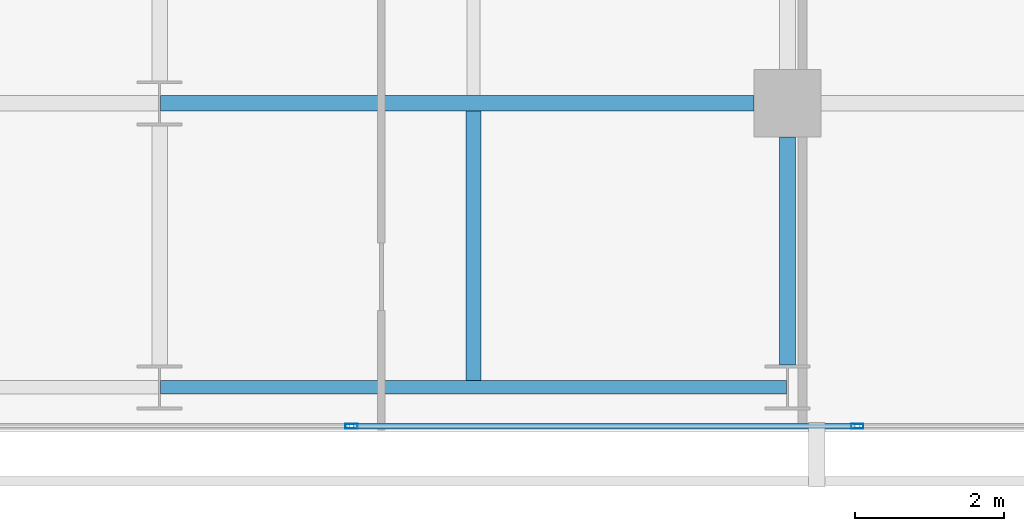
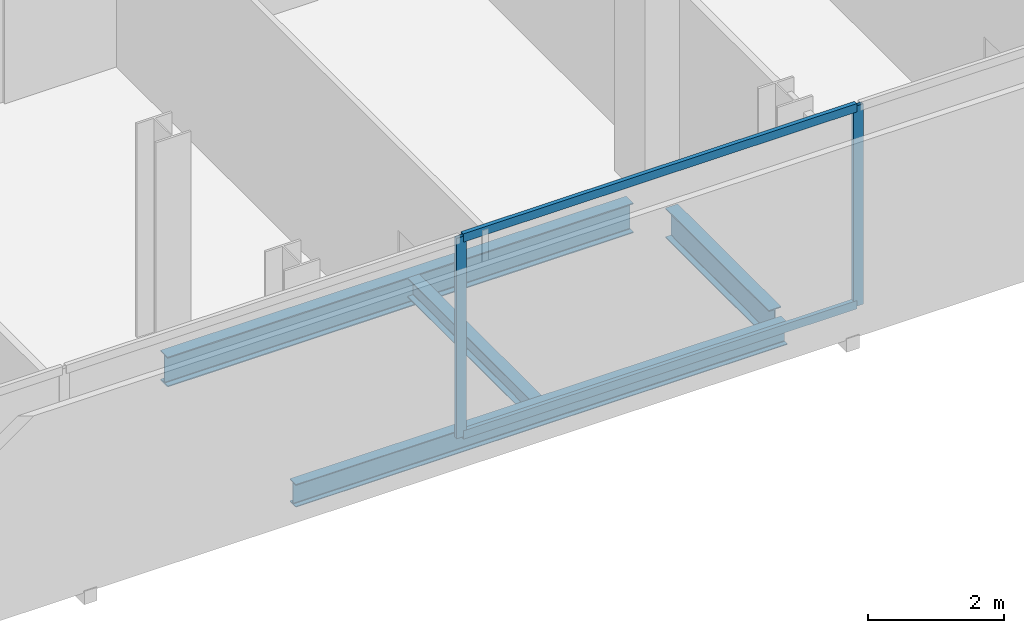
# One storey, part 12 of 34: 4 beams, 4 members, 1 element without a shape of its own.
"""IFC4 building model written with IfcOpenShell, lengths in metres."""

import ifcopenshell
import ifcopenshell.guid

model = None  # the IFC model being written
_history = None  # IfcOwnerHistory: only IFC2X3 demands one
_inside = {}  # id of a spatial element -> (the spatial element, [elements in it])
_under = {}  # id of a project, library or spatial element -> (it, [spatial elements below it])
_declared = {}  # id of a project -> (the project, [libraries it declares])
_typed = {}  # id of a type object -> (the type object, [elements of that type])
_made_of = {}  # id of a material, layer set ... -> (it, [elements and type objects made of it])


def new_model(schema):
    """Start an empty IFC model of exactly this schema.

    Asked for "IFC4X3", IfcOpenShell would pick the latest addendum, in which some entities
    have other attributes; the version numbers below select the first issue.
    IFC2X3 requires an IfcOwnerHistory on every rooted entity: one is made here for all.
    """
    global model, _history
    if schema == "IFC4X3":
        model = ifcopenshell.file(schema_version=(4, 3, 0, 0))
    else:
        model = ifcopenshell.file(schema=schema)
    _inside.clear()
    _under.clear()
    _declared.clear()
    _typed.clear()
    _made_of.clear()
    _history = None
    if model.schema == "IFC2X3":
        org = make("IfcOrganization", Name="unknown")
        user = make(
            "IfcPersonAndOrganization",
            ThePerson=make("IfcPerson", FamilyName="unknown"),
            TheOrganization=org,
        )
        app = make(
            "IfcApplication",
            ApplicationDeveloper=org,
            Version="unknown",
            ApplicationFullName="unknown",
            ApplicationIdentifier="unknown",
        )
        _history = make(
            "IfcOwnerHistory",
            OwningUser=user,
            OwningApplication=app,
            ChangeAction="ADDED",
            CreationDate=0,
        )
    return model


def make(cls, **values):
    """One entity of the class cls with the attributes given. An attribute that is None is left unset."""
    return model.create_entity(
        cls, **{name: value for name, value in values.items() if value is not None}
    )


def rooted(cls, **values):
    """An entity with a GlobalId (a new one), such as an element, a storey or a relation."""
    return make(cls, GlobalId=ifcopenshell.guid.new(), OwnerHistory=_history, **values)


def si_unit(unit_type, name, prefix=None):
    """IfcSIUnit, for example si_unit("LENGTHUNIT", "METRE", prefix="MILLI")."""
    return make("IfcSIUnit", UnitType=unit_type, Prefix=prefix, Name=name)


def assignment(units):
    """IfcUnitAssignment: the units of a project."""
    return None if units is None else make("IfcUnitAssignment", Units=units)


def point(xyz):
    """IfcCartesianPoint."""
    return None if xyz is None else make("IfcCartesianPoint", Coordinates=xyz)


def direction(xyz):
    """IfcDirection."""
    return None if xyz is None else make("IfcDirection", DirectionRatios=xyz)


def frame(location, z_axis=None, x_axis=None):
    """IfcAxis2Placement3D, a coordinate frame: its origin and axes. An axis left out is left unset."""
    return make(
        "IfcAxis2Placement3D",
        Location=point(location),
        Axis=direction(z_axis),
        RefDirection=direction(x_axis),
    )


def frame_2d(location, x_axis=None):
    """IfcAxis2Placement2D, a coordinate frame in the plane: its origin and x axis."""
    return make(
        "IfcAxis2Placement2D", Location=point(location), RefDirection=direction(x_axis)
    )


def origin():
    """The frame at (0, 0, 0) with its axes left unset."""
    return frame((0.0, 0.0, 0.0))


def origin_2d():
    """The frame at (0, 0) in the plane with its x axis left unset."""
    return frame_2d((0.0, 0.0))


def place(relative_to, where):
    """IfcLocalPlacement: puts the frame where relative to a parent placement (None: the world)."""
    return make(
        "IfcLocalPlacement", PlacementRelTo=relative_to, RelativePlacement=where
    )


def context(
    kind, dimensions, precision=None, world=None, true_north=None, identifier=None
):
    """IfcGeometricRepresentationContext, for example the 3D "Model" context."""
    return make(
        "IfcGeometricRepresentationContext",
        ContextIdentifier=identifier,
        ContextType=kind,
        CoordinateSpaceDimension=dimensions,
        Precision=precision,
        WorldCoordinateSystem=world,
        TrueNorth=true_north,
    )


def subcontext(parent, identifier, kind, view, scale=None):
    """IfcGeometricRepresentationSubContext, for example "Body" below "Model"."""
    return make(
        "IfcGeometricRepresentationSubContext",
        ContextIdentifier=identifier,
        ContextType=kind,
        ParentContext=parent,
        TargetScale=scale,
        TargetView=view,
    )


def project(units=None, contexts=None):
    """IfcProject with its units and contexts."""
    return rooted(
        "IfcProject",
        Name="project",
        RepresentationContexts=contexts,
        UnitsInContext=assignment(units),
    )


def spatial(cls, under=None, at=None, **own):
    """A site, building, storey or space (cls), placed at a placement, below another one or the project."""
    s = rooted(cls, ObjectPlacement=at, **own)
    if under is not None:
        _under.setdefault(under.id(), (under, []))[1].append(s)
    return s


def profile(cls, at=None, kind="AREA", **sizes):
    """A parametric profile (cls). Its sizes go by their IFC names, for example OverallWidth=200.0."""
    return make(cls, ProfileType=kind, Position=at, **sizes)


def hollow_rectangle(**sizes):
    """IfcRectangleHollowProfileDef."""
    return profile("IfcRectangleHollowProfileDef", **sizes)


def i_section(**sizes):
    """IfcIShapeProfileDef."""
    return profile("IfcIShapeProfileDef", **sizes)


def extrude(swept, where, along, depth):
    """IfcExtrudedAreaSolid: the profile swept, set in the frame where, extruded along a direction by depth."""
    return make(
        "IfcExtrudedAreaSolid",
        SweptArea=swept,
        Position=where,
        ExtrudedDirection=direction(along),
        Depth=depth,
    )


def shape(context_of_items, identifier, shape_type, items):
    """IfcShapeRepresentation: the items that make up one representation, for example the "Body"."""
    return make(
        "IfcShapeRepresentation",
        ContextOfItems=context_of_items,
        RepresentationIdentifier=identifier,
        RepresentationType=shape_type,
        Items=items,
    )


def material(Name=None, Category=None):
    """IfcMaterial."""
    return make("IfcMaterial", Name=Name, Category=Category)


def layer(
    of_material, thickness, ventilated=None, Name=None, Category=None, Priority=None
):
    """IfcMaterialLayer: one layer of a wall or slab, of a material (None: an air gap)."""
    return make(
        "IfcMaterialLayer",
        Material=of_material,
        LayerThickness=thickness,
        IsVentilated=ventilated,
        Name=Name,
        Category=Category,
        Priority=Priority,
    )


def layer_set(layers, Name=None):
    """IfcMaterialLayerSet."""
    return make("IfcMaterialLayerSet", MaterialLayers=layers, LayerSetName=Name)


def material_profile(
    of_material, cross_section, Name=None, Category=None, Priority=None
):
    """IfcMaterialProfile: a cross section and its material."""
    return make(
        "IfcMaterialProfile",
        Name=Name,
        Material=of_material,
        Profile=cross_section,
        Priority=Priority,
        Category=Category,
    )


def profile_set(profiles, Name=None, composite=None):
    """IfcMaterialProfileSet."""
    return make(
        "IfcMaterialProfileSet",
        Name=Name,
        MaterialProfiles=profiles,
        CompositeProfile=composite,
    )


def made_of(thing, what):
    """Note that an element or type object is made of a material, layer set ...; save() writes the relation."""
    if what is not None:
        _made_of.setdefault(what.id(), (what, []))[1].append(thing)
    return thing


def type_object(cls, material=None, **own):
    """A type object (cls), such as IfcWallType, which elements share."""
    return made_of(rooted(cls, **own), material)


def element(
    cls,
    number,
    at=None,
    inside=None,
    cuts=None,
    type_object=None,
    material=None,
    context=None,
    identifier="Body",
    shape_type=None,
    held_by="IfcProductDefinitionShape",
    body=None,
    shapes=None,
    **own,
):
    """One element of the class cls, such as IfcWall. Its Tag is "e" and its number.

    at: its placement. inside: the storey or other place that contains it. cuts: it is an
    opening in that element (IfcRelVoidsElement). A single representation is given by context,
    identifier, shape_type and body (its items); several are given by shapes. held_by: the class
    of the entity that holds the representations. save() writes the other relations.
    """
    e = rooted(cls, Tag="e%d" % number, ObjectPlacement=at, **own)
    if body is not None:
        shapes = [shape(context, identifier, shape_type, body)]
    if shapes is not None:
        e.Representation = make(held_by, Representations=shapes)
    if inside is not None:
        _inside.setdefault(inside.id(), (inside, []))[1].append(e)
    if cuts is not None:
        rooted(
            "IfcRelVoidsElement", RelatingBuildingElement=cuts, RelatedOpeningElement=e
        )
    if type_object is not None:
        _typed.setdefault(type_object.id(), (type_object, []))[1].append(e)
    return made_of(e, material)


def aggregate(whole, parts):
    """IfcRelAggregates: a whole, such as a stair, and the parts it consists of."""
    return rooted("IfcRelAggregates", RelatingObject=whole, RelatedObjects=parts)


def save(model, path):
    """Write the relations noted so far, then the file.

    IfcRelAggregates (storeys below a building ...), IfcRelContainedInSpatialStructure (elements
    in a storey), IfcRelDefinesByType, IfcRelAssociatesMaterial and IfcRelDeclares: one each for
    every whole, place, type object, material and project.
    """
    for whole, parts in _under.values():
        aggregate(whole, parts)
    for where, things in _inside.values():
        rooted(
            "IfcRelContainedInSpatialStructure",
            RelatedElements=things,
            RelatingStructure=where,
        )
    for kind, things in _typed.values():
        rooted("IfcRelDefinesByType", RelatedObjects=things, RelatingType=kind)
    for what, things in _made_of.values():
        rooted("IfcRelAssociatesMaterial", RelatedObjects=things, RelatingMaterial=what)
    for by, libraries in _declared.values():
        rooted("IfcRelDeclares", RelatingContext=by, RelatedDefinitions=libraries)
    model.write(path)


model = new_model("IFC4")

# Units and contexts
model_context = context("Model", 3, precision=1e-05, world=origin(), true_north=direction((0.0, 1.0)))
body_context = subcontext(model_context, "Body", "Model", "MODEL_VIEW")
ifc_project = project(units=[si_unit("LENGTHUNIT", "METRE"), si_unit("AREAUNIT", "SQUARE_METRE"), si_unit("VOLUMEUNIT", "CUBIC_METRE"), si_unit("PLANEANGLEUNIT", "RADIAN"), si_unit("MASSUNIT", "GRAM", prefix="KILO")], contexts=[model_context])

# Site, building, storey
site_placement = place(None, origin())
site = spatial("IfcSite", under=ifc_project, at=site_placement, CompositionType="ELEMENT")
building_placement = place(site_placement, origin())
building = spatial("IfcBuilding", under=site, at=building_placement, Name="Maruvema Waterfront Hotel and Observation Tower", CompositionType="ELEMENT")
storey_placement = place(building_placement, frame((0.0, 0.0, 212.10009765625)))
storey = spatial("IfcBuildingStorey", under=building, at=storey_placement, Name="L52", CompositionType="ELEMENT", Elevation=212.10009765625)

# Curtain wall, members
ifc_material_1 = material(Name="Anodised bronze aluminium and solar-control low-E IGU", Category="aluminium")
ifc_layer = layer(ifc_material_1, 0.159912109375, Name="Zone 2 Amber Inner Thermal Curtain Wall System CW-03")
ifc_layer_set = layer_set([ifc_layer], Name="Anodised bronze aluminium and solar-control low-E IGU")
curtain_wall_type = type_object("IfcCurtainWallType", Name="Zone 2 Amber Inner Thermal Curtain Wall System CW-03", PredefinedType="USERDEFINED", material=ifc_layer_set)
curtain_wall_placement = place(storey_placement, origin())
curtain_wall = element("IfcCurtainWall", 1, at=curtain_wall_placement, inside=storey, type_object=curtain_wall_type, Name="L52 Curtain Wall CW-L52-S", ObjectType="UNITISED CURTAIN WALL", PredefinedType="USERDEFINED")
ifc_material_2 = material(Name="Anodised architectural bronze aluminium", Category="aluminium")
ifc_material_profile_1 = material_profile(ifc_material_2, hollow_rectangle(XDim=0.070068359375, YDim=0.14990234375, WallThickness=0.00390625, at=origin_2d()), Name="ALU-T70x150")
ifc_profile_set_1 = profile_set([ifc_material_profile_1], Name="Anodised architectural bronze aluminium")
member_type_1 = type_object("IfcMemberType", Name="Curtain Wall Horizontal Transom ALU-T70x150", PredefinedType="USERDEFINED", material=ifc_profile_set_1)
member_1_placement = place(storey_placement, frame((44.5966796875, 4.679931640625, 0.02978515625), z_axis=(1.0, 0.0, 0.0), x_axis=(0.0, 1.0, 0.0)))
member_1 = element("IfcMember", 2, at=member_1_placement, type_object=member_type_1, Name="CW-03 transom 5.1", ObjectType="TRANSOM", PredefinedType="USERDEFINED", context=body_context, shape_type="SweptSolid", body=[
    extrude(hollow_rectangle(XDim=0.070068359375, YDim=0.14990234375, WallThickness=0.00390625, at=origin_2d()), origin(), (0.0, 0.0, 1.0), 6.70654296875),
])
member_2_placement = place(storey_placement, frame((44.5966796875, 4.679931640625, 3.579833984375), z_axis=(1.0, 0.0, 0.0), x_axis=(0.0, 1.0, 0.0)))
member_2 = element("IfcMember", 3, at=member_2_placement, type_object=member_type_1, Name="CW-03 transom 5.2", ObjectType="TRANSOM", PredefinedType="USERDEFINED", context=body_context, shape_type="SweptSolid", body=[
    extrude(hollow_rectangle(XDim=0.070068359375, YDim=0.14990234375, WallThickness=0.00390625, at=origin_2d()), origin(), (0.0, 0.0, 1.0), 6.70654296875),
])
ifc_material_3 = material(Name="Anodised architectural bronze aluminium", Category="aluminium")
ifc_material_profile_2 = material_profile(ifc_material_3, hollow_rectangle(XDim=0.06494140625, YDim=0.1650390625, WallThickness=0.00390625, at=origin_2d()), Name="ALU-M65x165")
ifc_profile_set_2 = profile_set([ifc_material_profile_2], Name="Anodised architectural bronze aluminium")
member_type_2 = type_object("IfcMemberType", Name="Curtain Wall Primary Mullion ALU-M65x165", PredefinedType="MULLION", material=ifc_profile_set_2)
member_3_placement = place(storey_placement, frame((44.566650390625, 4.679931640625, 0.0), z_axis=(0.0, 0.0, 1.0), x_axis=(0.0, 1.0, 0.0)))
member_3 = element("IfcMember", 4, at=member_3_placement, type_object=member_type_2, Name="CW-03 mullion 5", PredefinedType="MULLION", context=body_context, shape_type="SweptSolid", body=[
    extrude(hollow_rectangle(XDim=0.06494140625, YDim=0.1650390625, WallThickness=0.00390625, at=origin_2d()), origin(), (0.0, 0.0, 1.0), 3.60986328125),
])
member_4_placement = place(storey_placement, frame((51.333251953125, 4.679931640625, 0.0), z_axis=(0.0, 0.0, 1.0), x_axis=(0.0, 1.0, 0.0)))
member_4 = element("IfcMember", 5, at=member_4_placement, type_object=member_type_2, Name="CW-03 mullion 6", PredefinedType="MULLION", context=body_context, shape_type="SweptSolid", body=[
    extrude(hollow_rectangle(XDim=0.06494140625, YDim=0.1650390625, WallThickness=0.00390625, at=origin_2d()), origin(), (0.0, 0.0, 1.0), 3.60986328125),
])
aggregate(curtain_wall, [member_3, member_4, member_1, member_2])

# Beams
ifc_material_4 = material(Name="Steel ASTM A572 Grade 50", Category="steel")
ifc_material_profile_3 = material_profile(ifc_material_4, i_section(OverallWidth=0.178955078125, OverallDepth=0.409912109375, WebThickness=0.0087890625, FlangeThickness=0.014404296875, FilletRadius=0.014892578125, at=origin_2d()), Name="W410x67.0")
ifc_profile_set_3 = profile_set([ifc_material_profile_3], Name="Steel ASTM A572 Grade 50")
beam_type_1 = type_object("IfcBeamType", Name="Perimeter Spandrel Beam W410x67.0", PredefinedType="SPANDREL", material=ifc_profile_set_3)
beam_1_placement = place(storey_placement, frame((42.012451171875, 5.199951171875, -0.445068359375), z_axis=(1.0, 0.0, 0.0), x_axis=(0.0, 1.0, 0.0)))
element("IfcBeam", 6, at=beam_1_placement, inside=storey, type_object=beam_type_1, Name="L52 Floor Girder EW-03", PredefinedType="SPANDREL", context=body_context, shape_type="SweptSolid", body=[
    extrude(i_section(OverallWidth=0.178955078125, OverallDepth=0.409912109375, WebThickness=0.0087890625, FlangeThickness=0.014404296875, FilletRadius=0.014892578125, at=origin_2d()), origin(), (0.0, 0.0, 1.0), 8.375),
])
ifc_material_5 = material(Name="Steel ASTM A572 Grade 50", Category="steel")
ifc_material_profile_4 = material_profile(ifc_material_5, i_section(OverallWidth=0.2109375, OverallDepth=0.5390625, WebThickness=0.01171875, FlangeThickness=0.018798828125, FilletRadius=0.014892578125, at=origin_2d()), Name="W530x109.0")
ifc_profile_set_4 = profile_set([ifc_material_profile_4], Name="Steel ASTM A572 Grade 50")
beam_type_2 = type_object("IfcBeamType", Name="Primary Floor Girder W530x109.0", PredefinedType="BEAM", material=ifc_profile_set_4)
beam_2_placement = place(storey_placement, frame((42.012451171875, 9.0, -0.509521484375), z_axis=(1.0, 0.0, 0.0), x_axis=(0.0, 1.0, 0.0)))
element("IfcBeam", 7, at=beam_2_placement, inside=storey, type_object=beam_type_2, Name="L52 Floor Girder EW-08", PredefinedType="BEAM", context=body_context, shape_type="SweptSolid", body=[
    extrude(i_section(OverallWidth=0.2109375, OverallDepth=0.5390625, WebThickness=0.01171875, FlangeThickness=0.018798828125, FilletRadius=0.014892578125, at=origin_2d()), origin(), (0.0, 0.0, 1.0), 7.9375),
])
beam_3_placement = place(storey_placement, frame((50.39990234375, 5.5, -0.509521484375), z_axis=(0.0, 1.0, 0.0), x_axis=(-1.0, 0.0, 0.0)))
element("IfcBeam", 8, at=beam_3_placement, inside=storey, type_object=beam_type_2, Name="L52 Floor Girder NS-20", PredefinedType="BEAM", context=body_context, shape_type="SweptSolid", body=[
    extrude(i_section(OverallWidth=0.2109375, OverallDepth=0.5390625, WebThickness=0.01171875, FlangeThickness=0.018798828125, FilletRadius=0.014892578125, at=origin_2d()), origin(), (0.0, 0.0, 1.0), 3.050048828125),
])
ifc_material_6 = material(Name="Steel ASTM A572 Grade 50", Category="steel")
ifc_material_profile_5 = material_profile(ifc_material_6, i_section(OverallWidth=0.202880859375, OverallDepth=0.346923828125, WebThickness=0.0078125, FlangeThickness=0.013427734375, FilletRadius=0.014892578125, at=origin_2d()), Name="W360x64.0")
ifc_profile_set_5 = profile_set([ifc_material_profile_5], Name="Steel ASTM A572 Grade 50")
beam_type_3 = type_object("IfcBeamType", Name="Secondary Floor Joist W360x64.0", PredefinedType="JOIST", material=ifc_profile_set_5)
beam_4_placement = place(storey_placement, frame((46.199951171875, 5.28955078125, -0.41357421875), z_axis=(0.0, 1.0, 0.0), x_axis=(-1.0, 0.0, 0.0)))
element("IfcBeam", 9, at=beam_4_placement, inside=storey, type_object=beam_type_3, Name="L52 Secondary Floor Joist JS-09", PredefinedType="JOIST", context=body_context, shape_type="SweptSolid", body=[
    extrude(i_section(OverallWidth=0.202880859375, OverallDepth=0.346923828125, WebThickness=0.0078125, FlangeThickness=0.013427734375, FilletRadius=0.014892578125, at=origin_2d()), origin(), (0.0, 0.0, 1.0), 3.60498046875),
])

save(model, "model.ifc")
